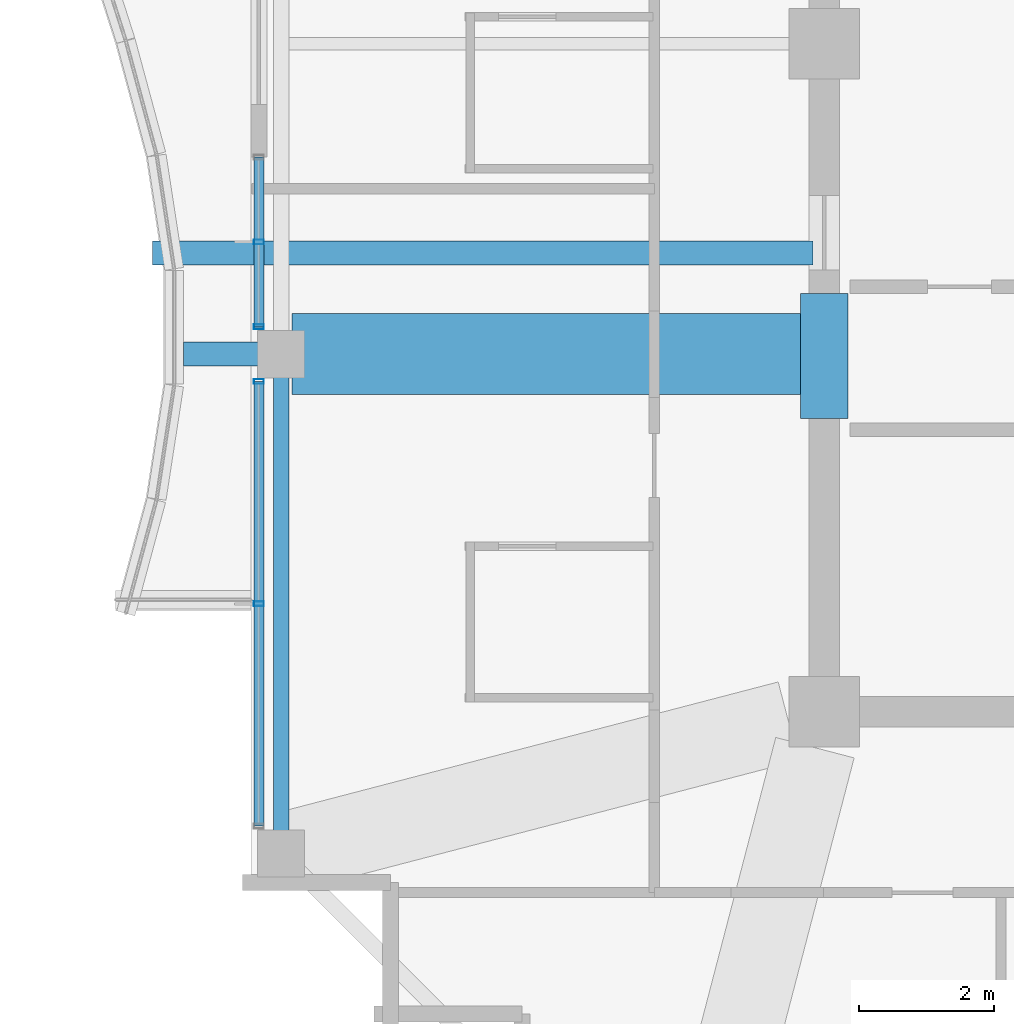
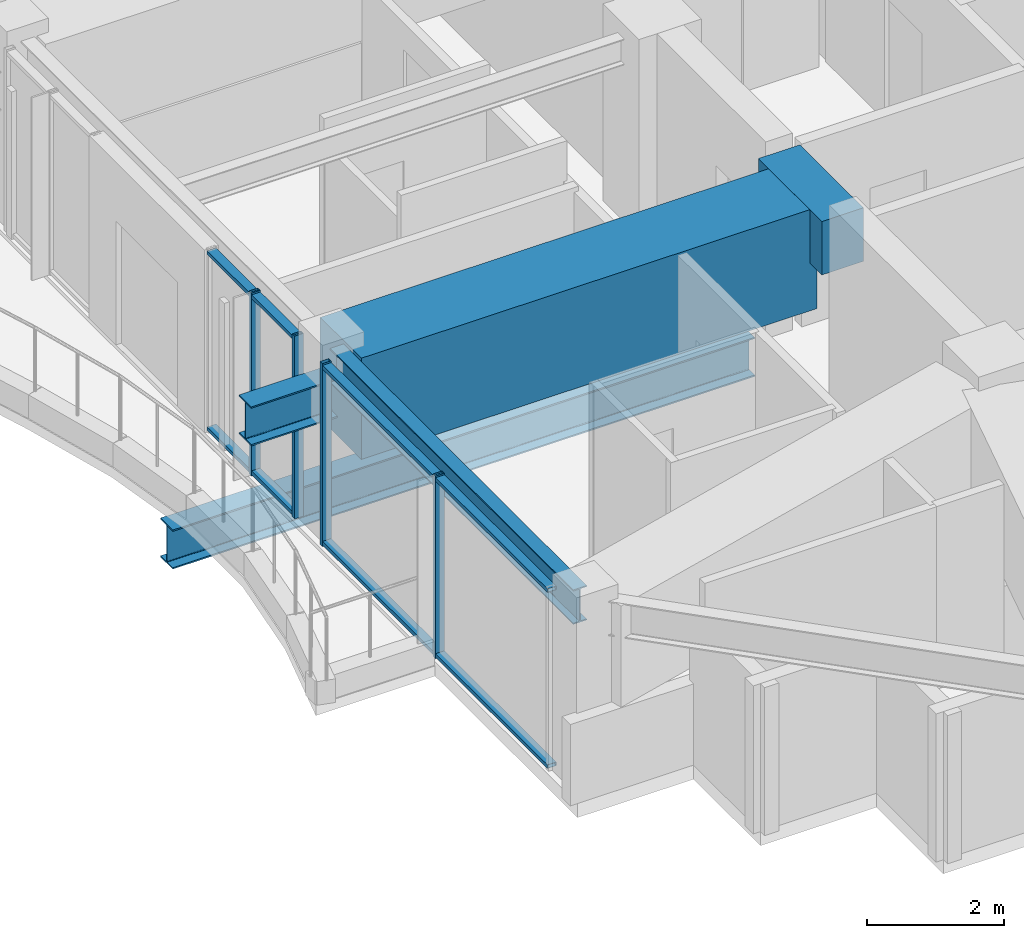
# One storey, part 4 of 31: 8 members, 5 beams, 2 elements without a shape of their own.
"""IFC4 building model written with IfcOpenShell, lengths in metres."""

from ifc_helpers import new_model, si_unit, direction, frame, origin, origin_2d, place, context, subcontext, project, spatial, rectangle, hollow_rectangle, i_section, extrude, material, material_profile, profile_set, type_object, element, aggregate, save


model = new_model("IFC4")

# Units and contexts
model_context = context("Model", 3, precision=1e-05, world=origin(), true_north=direction((0.0, 1.0)))
body_context = subcontext(model_context, "Body", "Model", "MODEL_VIEW")
ifc_project = project(units=[si_unit("LENGTHUNIT", "METRE"), si_unit("AREAUNIT", "SQUARE_METRE"), si_unit("VOLUMEUNIT", "CUBIC_METRE"), si_unit("PLANEANGLEUNIT", "RADIAN"), si_unit("MASSUNIT", "GRAM", prefix="KILO")], contexts=[model_context])

# Site, building, storey
site_placement = place(None, origin())
site = spatial("IfcSite", under=ifc_project, at=site_placement, CompositionType="ELEMENT")
building_placement = place(site_placement, origin())
building = spatial("IfcBuilding", under=site, at=building_placement, Name="Kolvaren Belvedere", CompositionType="ELEMENT")
storey_placement = place(building_placement, frame((0.0, 0.0, 237.39990234375)))
storey = spatial("IfcBuildingStorey", under=building, at=storey_placement, Name="L69", CompositionType="ELEMENT", Elevation=237.39990234375)

# Beams
ifc_material_1 = material(Name="Structural steel ASTM A992 Grade 50", Category="steel")
ifc_material_profile_1 = material_profile(ifc_material_1, i_section(OverallWidth=0.35498046875, OverallDepth=0.696044921875, WebThickness=0.015380859375, FlangeThickness=0.02490234375, FilletRadius=0.02197265625, at=origin_2d()), Name="W27X146")
ifc_profile_set_1 = profile_set([ifc_material_profile_1], Name="Structural steel ASTM A992 Grade 50")
beam_type_1 = type_object("IfcBeamType", Name="BM-CANT-BAL", PredefinedType="BEAM", material=ifc_profile_set_1)
beam_1_placement = place(storey_placement, frame((-17.949951171875, -4.60009765625, 2.342041015625), z_axis=(-1.0, 0.0, 0.0), x_axis=(0.0, -1.0, 0.0)))
element("IfcBeam", 1, at=beam_1_placement, inside=storey, type_object=beam_type_1, Name="L69 West Picture-Frame Column Corbel M", PredefinedType="BEAM", context=body_context, shape_type="SweptSolid", body=[
    extrude(i_section(OverallWidth=0.35498046875, OverallDepth=0.696044921875, WebThickness=0.015380859375, FlangeThickness=0.02490234375, FilletRadius=0.02197265625, at=origin_2d()), origin(), (0.0, 0.0, 1.0), 1.449951171875),
])
ifc_material_2 = material(Name="Structural steel ASTM A992 Grade 50", Category="steel")
ifc_material_profile_2 = material_profile(ifc_material_2, i_section(OverallWidth=0.35498046875, OverallDepth=0.696044921875, WebThickness=0.015380859375, FlangeThickness=0.02490234375, FilletRadius=0.02197265625, at=origin_2d()), Name="W27X146")
ifc_profile_set_2 = profile_set([ifc_material_profile_2], Name="Structural steel ASTM A992 Grade 50")
beam_type_2 = type_object("IfcBeamType", Name="BM-GIRD-W27X146", PredefinedType="BEAM", material=ifc_profile_set_2)
beam_2_placement = place(storey_placement, frame((-10.06494140625, -3.10009765625, -0.597900390625), z_axis=(-1.0, 0.0, 0.0), x_axis=(0.0, -1.0, 0.0)))
element("IfcBeam", 2, at=beam_2_placement, inside=storey, type_object=beam_type_2, Name="L69 Balcony Interior Back-Span Girder BAL-W-1", PredefinedType="BEAM", context=body_context, shape_type="SweptSolid", body=[
    extrude(i_section(OverallWidth=0.35498046875, OverallDepth=0.696044921875, WebThickness=0.015380859375, FlangeThickness=0.02490234375, FilletRadius=0.02197265625, at=origin_2d()), origin(), (0.0, 0.0, 1.0), 9.7900390625),
])
ifc_material_3 = material(Name="Concrete C60/75", Category="concrete")
ifc_material_profile_3 = material_profile(ifc_material_3, rectangle(XDim=0.699951171875, YDim=0.949951171875, at=origin_2d()), Name="RC 700X950")
ifc_profile_set_3 = profile_set([ifc_material_profile_3], Name="Concrete C60/75")
beam_type_3 = type_object("IfcBeamType", Name="BM-LINT-950", PredefinedType="LINTEL", material=ifc_profile_set_3)
beam_3_placement = place(storey_placement, frame((-9.89990234375, -5.550048828125, 2.775146484375), z_axis=(0.0, 1.0, 0.0), x_axis=(-1.0, 0.0, 0.0)))
element("IfcBeam", 3, at=beam_3_placement, inside=storey, type_object=beam_type_3, Name="L69 West Core Coupling Lintel", PredefinedType="LINTEL", context=body_context, shape_type="SweptSolid", body=[
    extrude(rectangle(XDim=0.699951171875, YDim=0.949951171875, at=origin_2d()), origin(), (0.0, 0.0, 1.0), 1.85009765625),
])
ifc_material_4 = material(Name="Structural steel ASTM A992 Grade 50", Category="steel")
ifc_material_profile_4 = material_profile(ifc_material_4, i_section(OverallWidth=0.22900390625, OverallDepth=0.612060546875, WebThickness=0.011962890625, FlangeThickness=0.01953125, FilletRadius=0.01806640625, at=origin_2d()), Name="W24X84")
ifc_profile_set_4 = profile_set([ifc_material_profile_4], Name="Structural steel ASTM A992 Grade 50")
beam_type_4 = type_object("IfcBeamType", Name="BM-SPAN-W24X84", PredefinedType="SPANDREL", material=ifc_profile_set_4)
beam_4_placement = place(storey_placement, frame((-17.949951171875, -4.757568359375, 2.944091796875), z_axis=(0.0, -1.0, 0.0), x_axis=(1.0, 0.0, 0.0)))
element("IfcBeam", 4, at=beam_4_placement, inside=storey, type_object=beam_type_4, Name="L69 Perimeter Spandrel W2-W1", PredefinedType="SPANDREL", context=body_context, shape_type="SweptSolid", body=[
    extrude(i_section(OverallWidth=0.22900390625, OverallDepth=0.612060546875, WebThickness=0.011962890625, FlangeThickness=0.01953125, FilletRadius=0.01806640625, at=origin_2d()), origin(), (0.0, 0.0, 1.0), 7.0849609375),
])
ifc_material_5 = material(Name="Concrete C50/60", Category="concrete")
ifc_material_profile_5 = material_profile(ifc_material_5, rectangle(XDim=1.199951171875, YDim=1.800048828125, at=origin_2d()), Name="RC 1200X1800")
ifc_profile_set_5 = profile_set([ifc_material_profile_5], Name="Concrete C50/60")
beam_type_5 = type_object("IfcBeamType", Name="BM-TG-1800", PredefinedType="BEAM", material=ifc_profile_set_5)
beam_5_placement = place(storey_placement, frame((-10.125, -4.60009765625, 2.35009765625), z_axis=(-1.0, 0.0, 0.0), x_axis=(0.0, -1.0, 0.0)))
element("IfcBeam", 5, at=beam_5_placement, inside=storey, type_object=beam_type_5, Name="L69 West Radial Girder M", PredefinedType="BEAM", context=body_context, shape_type="SweptSolid", body=[
    extrude(rectangle(XDim=1.199951171875, YDim=1.800048828125, at=origin_2d()), origin(), (0.0, 0.0, 1.0), 7.66748046875),
])

# Curtain wall, members
ifc_material_6 = material(Name="Anodised pale-metal aluminium AA 6063-T6", Category="aluminium")
curtain_wall_type = type_object("IfcCurtainWallType", Name="CW-Z5-HIGH", PredefinedType="NOTDEFINED", material=ifc_material_6)
curtain_wall_1_placement = place(storey_placement, origin())
curtain_wall_1 = element("IfcCurtainWall", 6, at=curtain_wall_1_placement, inside=storey, type_object=curtain_wall_type, Name="L69 Unitised Curtain Wall FCW-L69-W1-B1", PredefinedType="NOTDEFINED")
ifc_material_7 = material(Name="Anodised pale-metal aluminium AA 6063-T6", Category="aluminium")
ifc_material_profile_6 = material_profile(ifc_material_7, hollow_rectangle(XDim=0.070068359375, YDim=0.14990234375, WallThickness=0.004150390625, at=origin_2d()), Name="ALU-MUL-150X70")
ifc_profile_set_6 = profile_set([ifc_material_profile_6], Name="Anodised pale-metal aluminium AA 6063-T6")
member_type_1 = type_object("IfcMemberType", Name="CW-MUL-150", PredefinedType="MULLION", material=ifc_profile_set_6)
member_1_placement = place(storey_placement, frame((-18.280029296875, -8.300048828125, 0.0), z_axis=(0.0, 0.0, 1.0), x_axis=(0.0, 1.0, 0.0)))
member_1 = element("IfcMember", 7, at=member_1_placement, type_object=member_type_1, Name="FCW-L69-W1-B1 Unitised Mullion 2", PredefinedType="MULLION", context=body_context, shape_type="SweptSolid", body=[
    extrude(hollow_rectangle(XDim=0.070068359375, YDim=0.14990234375, WallThickness=0.004150390625, at=origin_2d()), origin(), (0.0, 0.0, 1.0), 3.25),
])
member_2_placement = place(storey_placement, frame((-18.280029296875, -5.0048828125, 0.0), z_axis=(0.0, 0.0, 1.0), x_axis=(0.0, 1.0, 0.0)))
member_2 = element("IfcMember", 8, at=member_2_placement, type_object=member_type_1, Name="FCW-L69-W1-B1 Unitised Mullion 3", PredefinedType="MULLION", context=body_context, shape_type="SweptSolid", body=[
    extrude(hollow_rectangle(XDim=0.070068359375, YDim=0.14990234375, WallThickness=0.004150390625, at=origin_2d()), origin(), (0.0, 0.0, 1.0), 3.25),
])

curtain_wall_2_placement = place(storey_placement, origin())
curtain_wall_2 = element("IfcCurtainWall", 9, at=curtain_wall_2_placement, inside=storey, type_object=curtain_wall_type, Name="L69 Unitised Curtain Wall FCW-L69-W1-B2", PredefinedType="NOTDEFINED")
member_3_placement = place(storey_placement, frame((-18.280029296875, -4.195068359375, 0.0), z_axis=(0.0, 0.0, 1.0), x_axis=(0.0, 1.0, 0.0)))
member_3 = element("IfcMember", 10, at=member_3_placement, type_object=member_type_1, Name="FCW-L69-W1-B2 Unitised Mullion 1", PredefinedType="MULLION", context=body_context, shape_type="SweptSolid", body=[
    extrude(hollow_rectangle(XDim=0.070068359375, YDim=0.14990234375, WallThickness=0.004150390625, at=origin_2d()), origin(), (0.0, 0.0, 1.0), 3.25),
])
member_4_placement = place(storey_placement, frame((-18.280029296875, -2.9375, 0.0), z_axis=(0.0, 0.0, 1.0), x_axis=(0.0, 1.0, 0.0)))
member_4 = element("IfcMember", 11, at=member_4_placement, type_object=member_type_1, Name="FCW-L69-W1-B2 Unitised Mullion 2", PredefinedType="MULLION", context=body_context, shape_type="SweptSolid", body=[
    extrude(hollow_rectangle(XDim=0.070068359375, YDim=0.14990234375, WallThickness=0.004150390625, at=origin_2d()), origin(), (0.0, 0.0, 1.0), 3.25),
])

# Member
ifc_material_8 = material(Name="Anodised pale-metal aluminium AA 6063-T6", Category="aluminium")
ifc_material_profile_7 = material_profile(ifc_material_8, hollow_rectangle(XDim=0.06494140625, YDim=0.14990234375, WallThickness=0.00390625, at=origin_2d()), Name="ALU-TRN-150X65")
ifc_profile_set_7 = profile_set([ifc_material_profile_7], Name="Anodised pale-metal aluminium AA 6063-T6")
member_type_2 = type_object("IfcMemberType", Name="CW-TRN-150", PredefinedType="USERDEFINED", material=ifc_profile_set_7)
member_5_placement = place(storey_placement, frame((-18.280029296875, -11.594970703125, 0.06005859375), z_axis=(0.0, 1.0, 0.0), x_axis=(0.0, 0.0, 1.0)))
member_5 = element("IfcMember", 12, at=member_5_placement, type_object=member_type_2, Name="FCW-L69-W1-B1 Sill Transom", ObjectType="TRANSOM", PredefinedType="USERDEFINED", context=body_context, shape_type="SweptSolid", body=[
    extrude(hollow_rectangle(XDim=0.06494140625, YDim=0.14990234375, WallThickness=0.00390625, at=origin_2d()), origin(), (0.0, 0.0, 1.0), 6.590087890625),
])

member_6_placement = place(storey_placement, frame((-18.280029296875, -11.594970703125, 3.190185546875), z_axis=(0.0, 1.0, 0.0), x_axis=(0.0, 0.0, 1.0)))
member_6 = element("IfcMember", 13, at=member_6_placement, type_object=member_type_2, Name="FCW-L69-W1-B1 Head Transom", ObjectType="TRANSOM", PredefinedType="USERDEFINED", context=body_context, shape_type="SweptSolid", body=[
    extrude(hollow_rectangle(XDim=0.06494140625, YDim=0.14990234375, WallThickness=0.00390625, at=origin_2d()), origin(), (0.0, 0.0, 1.0), 6.590087890625),
])

aggregate(curtain_wall_1, [member_1, member_2, member_5, member_6])

member_7_placement = place(storey_placement, frame((-18.280029296875, -4.195068359375, 0.06005859375), z_axis=(0.0, 1.0, 0.0), x_axis=(0.0, 0.0, 1.0)))
member_7 = element("IfcMember", 14, at=member_7_placement, type_object=member_type_2, Name="FCW-L69-W1-B2 Sill Transom", ObjectType="TRANSOM", PredefinedType="USERDEFINED", context=body_context, shape_type="SweptSolid", body=[
    extrude(hollow_rectangle(XDim=0.06494140625, YDim=0.14990234375, WallThickness=0.00390625, at=origin_2d()), origin(), (0.0, 0.0, 1.0), 2.51513671875),
])

member_8_placement = place(storey_placement, frame((-18.280029296875, -4.195068359375, 3.190185546875), z_axis=(0.0, 1.0, 0.0), x_axis=(0.0, 0.0, 1.0)))
member_8 = element("IfcMember", 15, at=member_8_placement, type_object=member_type_2, Name="FCW-L69-W1-B2 Head Transom", ObjectType="TRANSOM", PredefinedType="USERDEFINED", context=body_context, shape_type="SweptSolid", body=[
    extrude(hollow_rectangle(XDim=0.06494140625, YDim=0.14990234375, WallThickness=0.00390625, at=origin_2d()), origin(), (0.0, 0.0, 1.0), 2.51513671875),
])

aggregate(curtain_wall_2, [member_3, member_4, member_7, member_8])

save(model, "model.ifc")
